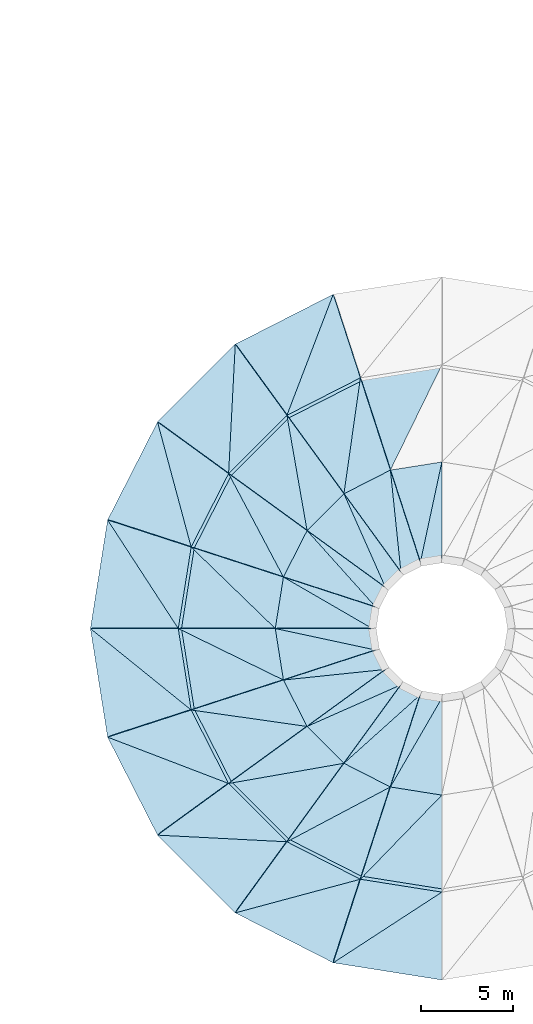
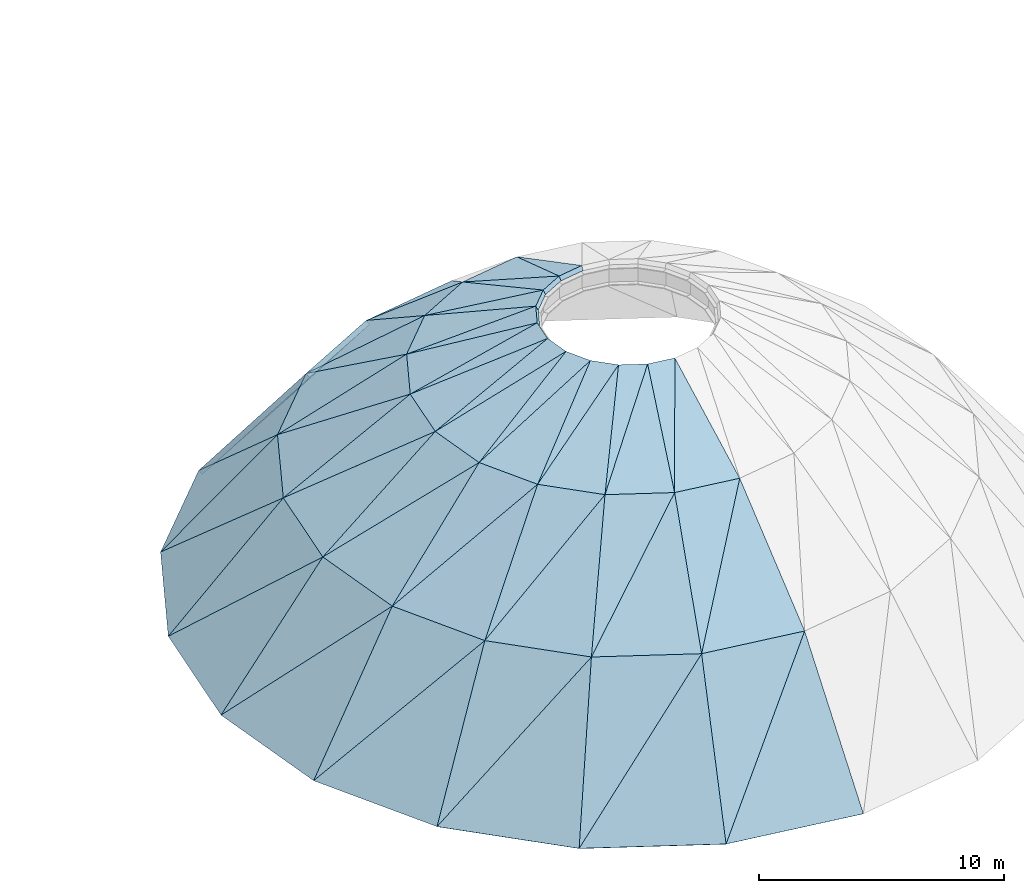
# One storey, part 6 of 9: 57 roofs.
"""IFC4 building model written with IfcOpenShell, lengths in metres."""

from ifc_helpers import new_model, si_unit, direction, frame, origin, place, context, subcontext, project, spatial, polyline, outline, extrude, material, layer, layer_set, type_object, element, save


model = new_model("IFC4")

# Units and contexts
model_context = context("Model", 3, precision=1e-05, world=origin(), true_north=direction((0.0, 1.0)))
body_context = subcontext(model_context, "Body", "Model", "MODEL_VIEW")
ifc_project = project(units=[si_unit("LENGTHUNIT", "METRE"), si_unit("AREAUNIT", "SQUARE_METRE"), si_unit("VOLUMEUNIT", "CUBIC_METRE"), si_unit("PLANEANGLEUNIT", "RADIAN"), si_unit("MASSUNIT", "GRAM", prefix="KILO")], contexts=[model_context])

# Site, building, storey
site_placement = place(None, origin())
site = spatial("IfcSite", under=ifc_project, at=site_placement, CompositionType="ELEMENT")
building_placement = place(site_placement, origin())
building = spatial("IfcBuilding", under=site, at=building_placement, Name="Sefraquen Railside Congress Hotel", CompositionType="ELEMENT")
storey_placement = place(building_placement, frame((0.0, 0.0, 51.60009765625)))
storey = spatial("IfcBuildingStorey", under=building, at=storey_placement, Name="RF", CompositionType="ELEMENT", Elevation=51.60009765625)

# Roofs
ifc_material = material(Name="Verdigris patinated copper over insulated steel deck", Category="steel")
ifc_layer = layer(ifc_material, 0.219970703125)
ifc_layer_set = layer_set([ifc_layer], Name="Verdigris patinated copper over insulated steel deck")
roof_type = type_object("IfcRoofType", Name="TRF-DOME-01", PredefinedType="DOME_ROOF", material=ifc_layer_set)
roof_1_placement = place(storey_placement, frame((64.199951171875, 41.39990234375, -24.280029296875), z_axis=(-0.100628101828, 0.635498192623, 0.765516839982), x_axis=(-0.987694325005, -0.156396676285, 0.0)))
element("IfcRoof", 1, at=roof_1_placement, inside=storey, type_object=roof_type, Name="Congress Dome shell gore 06.2A", PredefinedType="DOME_ROOF", context=body_context, shape_type="SweptSolid", body=[
    extrude(outline(polyline([(0.0, 0.0), (4.505145892406964, -1.1102230246251565e-16), (3.6759634322302155, 6.838349228910776), (0.0, 0.0)])), origin(), (0.0, 0.0, -1.0), 0.219970703125),
])
roof_2_placement = place(storey_placement, frame((64.199951171875, 36.10009765625, -19.880126953125), z_axis=(-0.073401836324, 0.463256082619, 0.883179467798), x_axis=(-0.987678693054, -0.156495365065, 0.0)))
element("IfcRoof", 2, at=roof_2_placement, inside=storey, type_object=roof_type, Name="Congress Dome shell gore 06.3A", PredefinedType="DOME_ROOF", context=body_context, shape_type="SweptSolid", body=[
    extrude(outline(polyline([(0.0, 0.0), (2.8470916083597246, 0.0), (2.018394009271394, 5.927122828187759), (0.0, 0.0)])), origin(), (0.0, 0.0, -1.0), 0.219970703125),
])
roof_3_placement = place(storey_placement, frame((64.199951171875, 36.10009765625, -19.880126953125), z_axis=(-0.07338872725, 0.463254301932, 0.883181491231), x_axis=(-0.187549566336, -0.876180105018, 0.443997278975)))
element("IfcRoof", 3, at=roof_3_placement, inside=storey, type_object=roof_type, Name="Congress Dome shell gore 06.3B", PredefinedType="DOME_ROOF", context=body_context, shape_type="SweptSolid", body=[
    extrude(outline(polyline([(0.0, 0.0), (6.261365617585919, 5.551115123125783e-17), (5.8781227821121265, 1.1255012351867433), (0.0, 0.0)])), origin(), (0.0, 0.0, -1.0), 0.219970703125),
])
roof_4_placement = place(storey_placement, frame((58.266845703125, 45.26025390625, -30.47998046875), z_axis=(-0.360629931327, 0.707796775693, 0.607428824595), x_axis=(-0.891011890739, -0.453979967137, 0.0)))
element("IfcRoof", 4, at=roof_4_placement, inside=storey, type_object=roof_type, Name="Congress Dome shell gore 07.1A", PredefinedType="DOME_ROOF", context=body_context, shape_type="SweptSolid", body=[
    extrude(outline(polyline([(0.0, 0.0), (6.0069848421854, -2.220446049250313e-16), (5.256123501342936, 7.804825347969129), (0.0, 0.0)])), origin(), (0.0, 0.0, -1.0), 0.219970703125),
])
roof_5_placement = place(storey_placement, frame((58.266845703125, 45.26025390625, -30.47998046875), z_axis=(-0.36063479883, 0.707796371111, 0.607426406172), x_axis=(-0.268978867443, -0.70250523921, 0.658890550662)))
element("IfcRoof", 5, at=roof_5_placement, inside=storey, type_object=roof_type, Name="Congress Dome shell gore 07.1B", PredefinedType="DOME_ROOF", context=body_context, shape_type="SweptSolid", body=[
    extrude(outline(polyline([(0.0, 0.0), (9.409682936936344, 0.0), (6.892981664606156, 3.737025457755235), (0.0, 0.0)])), origin(), (0.0, 0.0, -1.0), 0.219970703125),
])
roof_6_placement = place(storey_placement, frame((59.750244140625, 40.6953125, -24.280029296875), z_axis=(-0.292100647007, 0.573288486361, 0.765517813917), x_axis=(-0.891009307192, -0.453985037746, 0.0)))
element("IfcRoof", 6, at=roof_6_placement, inside=storey, type_object=roof_type, Name="Congress Dome shell gore 07.2A", PredefinedType="DOME_ROOF", context=body_context, shape_type="SweptSolid", body=[
    extrude(outline(polyline([(0.0, 0.0), (4.505457198338378, 0.0), (3.6761528645621397, 6.838361544468521), (0.0, 0.0)])), origin(), (0.0, 0.0, -1.0), 0.219970703125),
])
roof_7_placement = place(storey_placement, frame((59.750244140625, 40.6953125, -24.280029296875), z_axis=(-0.292106518642, 0.573288010708, 0.765515929649), x_axis=(-0.115783582281, -0.815736531222, 0.56671692555)))
element("IfcRoof", 7, at=roof_7_placement, inside=storey, type_object=roof_type, Name="Congress Dome shell gore 07.2B", PredefinedType="DOME_ROOF", context=body_context, shape_type="SweptSolid", body=[
    extrude(outline(polyline([(0.0, 0.0), (7.763844955722281, 0.0), (6.415822344347546, 2.5075460862325363), (0.0, 0.0)])), origin(), (0.0, 0.0, -1.0), 0.219970703125),
])
roof_8_placement = place(storey_placement, frame((61.387939453125, 35.654541015625, -19.880126953125), z_axis=(-0.212939783005, 0.417915441145, 0.883177973495), x_axis=(-0.891005463403, -0.453992581642, 0.0)))
element("IfcRoof", 8, at=roof_8_placement, inside=storey, type_object=roof_type, Name="Congress Dome shell gore 07.3A", PredefinedType="DOME_ROOF", context=body_context, shape_type="SweptSolid", body=[
    extrude(outline(polyline([(0.0, 0.0), (2.8469197978442713, 0.0), (2.0180948476026943, 5.927087271891667), (0.0, 0.0)])), origin(), (0.0, 0.0, -1.0), 0.219970703125),
])
roof_9_placement = place(storey_placement, frame((61.387939453125, 35.654541015625, -19.880126953125), z_axis=(-0.212953565856, 0.417912945386, 0.883175831229), x_axis=(0.092373004976, -0.891249377265, 0.444006503868)))
element("IfcRoof", 9, at=roof_9_placement, inside=storey, type_object=roof_type, Name="Congress Dome shell gore 07.3B", PredefinedType="DOME_ROOF", context=body_context, shape_type="SweptSolid", body=[
    extrude(outline(polyline([(0.0, 0.0), (6.261235528435321, -1.6653345369377348e-16), (5.877996782209607, 1.1254681512564986), (0.0, 0.0)])), origin(), (0.0, 0.0, -1.0), 0.219970703125),
])
roof_10_placement = place(storey_placement, frame((52.91455078125, 42.533203125, -30.47998046875), z_axis=(-0.561723170476, 0.561690885679, 0.607429361075), x_axis=(-0.707086459982, -0.707127101807, 0.0)))
element("IfcRoof", 10, at=roof_10_placement, inside=storey, type_object=roof_type, Name="Congress Dome shell gore 08.1A", PredefinedType="DOME_ROOF", context=body_context, shape_type="SweptSolid", body=[
    extrude(outline(polyline([(0.0, 0.0), (6.007127606227723, 0.0), (5.256308161891489, 7.804829378498917), (0.0, 0.0)])), origin(), (0.0, 0.0, -1.0), 0.219970703125),
])
roof_11_placement = place(storey_placement, frame((52.91455078125, 42.533203125, -30.47998046875), z_axis=(-0.561730753264, 0.561687705463, 0.607425289538), x_axis=(-0.038710516872, -0.751248670263, 0.658883093812)))
element("IfcRoof", 11, at=roof_11_placement, inside=storey, type_object=roof_type, Name="Congress Dome shell gore 08.1B", PredefinedType="DOME_ROOF", context=body_context, shape_type="SweptSolid", body=[
    extrude(outline(polyline([(0.0, 0.0), (9.409789430175731, 0.0), (6.893153999899772, 3.736779281565741), (0.0, 0.0)])), origin(), (0.0, 0.0, -1.0), 0.219970703125),
])
roof_12_placement = place(storey_placement, frame((55.73583984375, 38.64990234375, -24.280029296875), z_axis=(-0.454993730981, 0.454958862889, 0.765501886247), x_axis=(-0.707079685339, -0.707133875996, 0.0)))
element("IfcRoof", 12, at=roof_12_placement, inside=storey, type_object=roof_type, Name="Congress Dome shell gore 08.2A", PredefinedType="DOME_ROOF", context=body_context, shape_type="SweptSolid", body=[
    extrude(outline(polyline([(0.0, 0.0), (4.505216230999267, 2.220446049250313e-16), (3.676430787585561, 6.8381601470267155), (0.0, 0.0)])), origin(), (0.0, 0.0, -1.0), 0.219970703125),
])
roof_13_placement = place(storey_placement, frame((55.73583984375, 38.64990234375, -24.280029296875), z_axis=(-0.454930184855, 0.454985354656, 0.765523908155), x_axis=(0.141947358155, -0.811590466689, 0.566720267762)))
element("IfcRoof", 13, at=roof_13_placement, inside=storey, type_object=roof_type, Name="Congress Dome shell gore 08.2B", PredefinedType="DOME_ROOF", context=body_context, shape_type="SweptSolid", body=[
    extrude(outline(polyline([(0.0, 0.0), (7.763799168724768, 2.220446049250313e-16), (6.415719304074024, 2.5078835902445396), (0.0, 0.0)])), origin(), (0.0, 0.0, -1.0), 0.219970703125),
])
roof_14_placement = place(storey_placement, frame((58.851318359375, 34.362060546875, -19.880126953125), z_axis=(-0.331637773926, 0.331677991943, 0.883179538127), x_axis=(-0.707149653032, -0.707063906742, 0.0)))
element("IfcRoof", 14, at=roof_14_placement, inside=storey, type_object=roof_type, Name="Congress Dome shell gore 08.3A", PredefinedType="DOME_ROOF", context=body_context, shape_type="SweptSolid", body=[
    extrude(outline(polyline([(0.0, 0.0), (2.8472441805532966, -2.220446049250313e-16), (2.017768129241997, 5.927124501644469), (0.0, 0.0)])), origin(), (0.0, 0.0, -1.0), 0.219970703125),
])
roof_15_placement = place(storey_placement, frame((58.851318359375, 34.362060546875, -19.880126953125), z_axis=(-0.331663930097, 0.331663930097, 0.883174996785), x_axis=(0.363257299664, -0.819083602054, 0.444011471798)))
element("IfcRoof", 15, at=roof_15_placement, inside=storey, type_object=roof_type, Name="Congress Dome shell gore 08.3B", PredefinedType="DOME_ROOF", context=body_context, shape_type="SweptSolid", body=[
    extrude(outline(polyline([(0.0, 0.0), (6.261165473087174, -1.6653345369377348e-16), (5.878008744784153, 1.1253121891298359), (0.0, 0.0)])), origin(), (0.0, 0.0, -1.0), 0.219970703125),
])
roof_16_placement = place(storey_placement, frame((48.6669921875, 38.285400390625, -30.47998046875), z_axis=(-0.707774643341, 0.360650939231, 0.607442140681), x_axis=(-0.454012232645, -0.890995450386, 0.0)))
element("IfcRoof", 16, at=roof_16_placement, inside=storey, type_object=roof_type, Name="Congress Dome shell gore 09.1A", PredefinedType="DOME_ROOF", context=body_context, shape_type="SweptSolid", body=[
    extrude(outline(polyline([(0.0, 0.0), (6.007095681077011, 2.220446049250313e-16), (5.256146857426512, 7.8049253936002465), (0.0, 0.0)])), origin(), (0.0, 0.0, -1.0), 0.219970703125),
])
roof_17_placement = place(storey_placement, frame((48.6669921875, 38.285400390625, -30.47998046875), z_axis=(-0.707794488011, 0.360633839358, 0.60742917007), x_axis=(0.195317087858, -0.726445688487, 0.658883826534)))
element("IfcRoof", 17, at=roof_17_placement, inside=storey, type_object=roof_type, Name="Congress Dome shell gore 09.1B", PredefinedType="DOME_ROOF", context=body_context, shape_type="SweptSolid", body=[
    extrude(outline(polyline([(0.0, 0.0), (9.409778965868462, 0.0), (6.893035827751876, 3.7369972628839574), (0.0, 0.0)])), origin(), (0.0, 0.0, -1.0), 0.219970703125),
])
roof_18_placement = place(storey_placement, frame((52.55029296875, 35.464111328125, -24.280029296875), z_axis=(-0.573303993975, 0.292108548411, 0.765503185126), x_axis=(-0.453985037746, -0.891009307192, 0.0)))
element("IfcRoof", 18, at=roof_18_placement, inside=storey, type_object=roof_type, Name="Congress Dome shell gore 09.2A", PredefinedType="DOME_ROOF", context=body_context, shape_type="SweptSolid", body=[
    extrude(outline(polyline([(0.0, 0.0), (4.505457198338378, 2.220446049250313e-16), (3.676334967709326, 6.838176569882453), (0.0, 0.0)])), origin(), (0.0, 0.0, -1.0), 0.219970703125),
])
roof_19_placement = place(storey_placement, frame((52.55029296875, 35.464111328125, -24.280029296875), z_axis=(-0.573320080029, 0.292094745806, 0.765496404503), x_axis=(0.385781374093, -0.728009829771, 0.566722523957)))
element("IfcRoof", 19, at=roof_19_placement, inside=storey, type_object=roof_type, Name="Congress Dome shell gore 09.2B", PredefinedType="DOME_ROOF", context=body_context, shape_type="SweptSolid", body=[
    extrude(outline(polyline([(0.0, 0.0), (7.763768260045612, -4.440892098500626e-16), (6.4155203238397895, 2.5076719247137333), (0.0, 0.0)])), origin(), (0.0, 0.0, -1.0), 0.219970703125),
])
roof_20_placement = place(storey_placement, frame((56.837890625, 32.348876953125, -19.880126953125), z_axis=(-0.417923837966, 0.212923568299, 0.88317790944), x_axis=(-0.453957894775, -0.891023136496, 0.0)))
element("IfcRoof", 20, at=roof_20_placement, inside=storey, type_object=roof_type, Name="Congress Dome shell gore 09.3A", PredefinedType="DOME_ROOF", context=body_context, shape_type="SweptSolid", body=[
    extrude(outline(polyline([(0.0, 0.0), (2.8471373306324272, 0.0), (2.0181745630750285, 5.927085747748448), (0.0, 0.0)])), origin(), (0.0, 0.0, -1.0), 0.219970703125),
])
roof_21_placement = place(storey_placement, frame((56.837890625, 32.348876953125, -19.880126953125), z_axis=(-0.417900973171, 0.212947465241, 0.883182967267), x_axis=(0.59860906701, -0.666728532882, 0.444004784135)))
element("IfcRoof", 21, at=roof_21_placement, inside=storey, type_object=roof_type, Name="Congress Dome shell gore 09.3B", PredefinedType="DOME_ROOF", context=body_context, shape_type="SweptSolid", body=[
    extrude(outline(polyline([(0.0, 0.0), (6.2612597796454565, -6.661338147750939e-16), (5.878102929788177, 1.1254960348703256), (0.0, 0.0)])), origin(), (0.0, 0.0, -1.0), 0.219970703125),
])
roof_22_placement = place(storey_placement, frame((45.939697265625, 32.93310546875, -30.47998046875), z_axis=(-0.784589565315, 0.124264885067, 0.607435142495), x_axis=(-0.156432138959, -0.987688709007, 0.0)))
element("IfcRoof", 22, at=roof_22_placement, inside=storey, type_object=roof_type, Name="Congress Dome shell gore 10.1A", PredefinedType="DOME_ROOF", context=body_context, shape_type="SweptSolid", body=[
    extrude(outline(polyline([(0.0, 0.0), (6.007060134070098, 1.1102230246251565e-16), (5.256178228781198, 7.804872814487631), (0.0, 0.0)])), origin(), (0.0, 0.0, -1.0), 0.219970703125),
])
roof_23_placement = place(storey_placement, frame((45.939697265625, 32.93310546875, -30.47998046875), z_axis=(-0.784581720639, 0.124277813425, 0.60744262999), x_axis=(0.410250047222, -0.630527235491, 0.65888565325)))
element("IfcRoof", 23, at=roof_23_placement, inside=storey, type_object=roof_type, Name="Congress Dome shell gore 10.1B", PredefinedType="DOME_ROOF", context=body_context, shape_type="SweptSolid", body=[
    extrude(outline(polyline([(0.0, 0.0), (9.40975287789438, -4.440892098500626e-16), (6.893249580109754, 3.7368295066439323), (0.0, 0.0)])), origin(), (0.0, 0.0, -1.0), 0.219970703125),
])
roof_24_placement = place(storey_placement, frame((50.5048828125, 31.44970703125, -24.280029296875), z_axis=(-0.635499045895, 0.100663104658, 0.76551152965), x_axis=(-0.156449541595, -0.987685952585, 0.0)))
element("IfcRoof", 24, at=roof_24_placement, inside=storey, type_object=roof_type, Name="Congress Dome shell gore 10.2A", PredefinedType="DOME_ROOF", context=body_context, shape_type="SweptSolid", body=[
    extrude(outline(polyline([(0.0, 0.0), (4.505184081642572, 0.0), (3.6759938720502063, 6.83828208041772), (0.0, 0.0)])), origin(), (0.0, 0.0, -1.0), 0.219970703125),
])
roof_25_placement = place(storey_placement, frame((50.5048828125, 31.44970703125, -24.280029296875), z_axis=(-0.635512917421, 0.100640350875, 0.76550300559), x_axis=(0.591884672479, -0.573142601243, 0.566727529881)))
element("IfcRoof", 25, at=roof_25_placement, inside=storey, type_object=roof_type, Name="Congress Dome shell gore 10.2B", PredefinedType="DOME_ROOF", context=body_context, shape_type="SweptSolid", body=[
    extrude(outline(polyline([(0.0, 0.0), (7.763699682413841, 0.0), (6.415589614416244, 2.507650767871614), (0.0, 0.0)])), origin(), (0.0, 0.0, -1.0), 0.219970703125),
])
roof_26_placement = place(storey_placement, frame((55.54541015625, 29.81201171875, -19.880126953125), z_axis=(-0.463271878514, 0.073364117591, 0.883174316219), x_axis=(-0.156411712605, -0.987691943958, 0.0)))
element("IfcRoof", 26, at=roof_26_placement, inside=storey, type_object=roof_type, Name="Congress Dome shell gore 10.3A", PredefinedType="DOME_ROOF", context=body_context, shape_type="SweptSolid", body=[
    extrude(outline(polyline([(0.0, 0.0), (2.8470534116949016, -5.551115123125783e-17), (2.018101884053082, 5.92700025155648), (0.0, 0.0)])), origin(), (0.0, 0.0, -1.0), 0.219970703125),
])
roof_27_placement = place(storey_placement, frame((55.54541015625, 29.81201171875, -19.880126953125), z_axis=(-0.463259610338, 0.073389568207, 0.883178636918), x_axis=(0.775334880174, -0.449120254971, 0.444012184698)))
element("IfcRoof", 27, at=roof_27_placement, inside=storey, type_object=roof_type, Name="Congress Dome shell gore 10.3B", PredefinedType="DOME_ROOF", context=body_context, shape_type="SweptSolid", body=[
    extrude(outline(polyline([(0.0, 0.0), (6.261155420237479, -2.220446049250313e-16), (5.877985682025099, 1.125526122783089), (0.0, 0.0)])), origin(), (0.0, 0.0, -1.0), 0.219970703125),
])
roof_28_placement = place(storey_placement, frame((45.0, 27.0, -30.47998046875), z_axis=(-0.784584718189, -0.124264117369, 0.60744156025), x_axis=(0.156432138959, -0.987688709007, 0.0)))
element("IfcRoof", 28, at=roof_28_placement, inside=storey, type_object=roof_type, Name="Congress Dome shell gore 11.1A", PredefinedType="DOME_ROOF", context=body_context, shape_type="SweptSolid", body=[
    extrude(outline(polyline([(0.0, 0.0), (6.007060134070098, 0.0), (5.256065986232156, 7.804921032612769), (0.0, 0.0)])), origin(), (0.0, 0.0, -1.0), 0.219970703125),
])
roof_29_placement = place(storey_placement, frame((45.0, 27.0, -30.47998046875), z_axis=(-0.784588183615, -0.124278837161, 0.607434072773), x_axis=(0.585020261983, -0.472883594771, 0.658887242907)))
element("IfcRoof", 29, at=roof_29_placement, inside=storey, type_object=roof_type, Name="Congress Dome shell gore 11.1B", PredefinedType="DOME_ROOF", context=body_context, shape_type="SweptSolid", body=[
    extrude(outline(polyline([(0.0, 0.0), (9.409730175565493, 0.0), (6.893194556754889, 3.7368077404039886), (0.0, 0.0)])), origin(), (0.0, 0.0, -1.0), 0.219970703125),
])
roof_30_placement = place(storey_placement, frame((49.800048828125, 27.0, -24.280029296875), z_axis=(-0.635506803421, -0.100664333451, 0.765504927989), x_axis=(0.156449541595, -0.987685952585, 0.0)))
element("IfcRoof", 30, at=roof_30_placement, inside=storey, type_object=roof_type, Name="Congress Dome shell gore 11.2A", PredefinedType="DOME_ROOF", context=body_context, shape_type="SweptSolid", body=[
    extrude(outline(polyline([(0.0, 0.0), (4.505184081642572, 0.0), (3.6762436191990546, 6.838198606646094), (0.0, 0.0)])), origin(), (0.0, 0.0, -1.0), 0.219970703125),
])
roof_31_placement = place(storey_placement, frame((49.800048828125, 27.0, -24.280029296875), z_axis=(-0.635500641819, -0.1006384069, 0.765513452073), x_axis=(0.740024532169, -0.362197873689, 0.566724264597)))
element("IfcRoof", 31, at=roof_31_placement, inside=storey, type_object=roof_type, Name="Congress Dome shell gore 11.2B", PredefinedType="DOME_ROOF", context=body_context, shape_type="SweptSolid", body=[
    extrude(outline(polyline([(0.0, 0.0), (7.763744414368516, 2.220446049250313e-16), (6.415697574566764, 2.5076847582469544), (0.0, 0.0)])), origin(), (0.0, 0.0, -1.0), 0.219970703125),
])
roof_32_placement = place(storey_placement, frame((55.10009765625, 27.0, -19.880126953125), z_axis=(-0.463267144037, -0.073363367835, 0.883176861968), x_axis=(0.156411712605, -0.987691943958, 0.0)))
element("IfcRoof", 32, at=roof_32_placement, inside=storey, type_object=roof_type, Name="Congress Dome shell gore 11.3A", PredefinedType="DOME_ROOF", context=body_context, shape_type="SweptSolid", body=[
    extrude(outline(polyline([(0.0, 0.0), (2.8470534116949016, 5.551115123125783e-17), (2.0179124591467166, 5.927060824048182), (0.0, 0.0)])), origin(), (0.0, 0.0, -1.0), 0.219970703125),
])
roof_33_placement = place(storey_placement, frame((55.10009765625, 27.0, -19.880126953125), z_axis=(-0.463270947284, -0.073391364206, 0.883172540936), x_axis=(0.876171046478, -0.187555973901, 0.444012447986)))
element("IfcRoof", 33, at=roof_33_placement, inside=storey, type_object=roof_type, Name="Congress Dome shell gore 11.3B", PredefinedType="DOME_ROOF", context=body_context, shape_type="SweptSolid", body=[
    extrude(outline(polyline([(0.0, 0.0), (6.2611517075332275, 1.1102230246251565e-16), (5.877903032757415, 1.1254992468373581), (0.0, 0.0)])), origin(), (0.0, 0.0, -1.0), 0.219970703125),
])
roof_34_placement = place(storey_placement, frame((45.939697265625, 21.06689453125, -30.47998046875), z_axis=(-0.707782218282, -0.360654799089, 0.607431022732), x_axis=(0.454012232645, -0.890995450386, 0.0)))
element("IfcRoof", 34, at=roof_34_placement, inside=storey, type_object=roof_type, Name="Congress Dome shell gore 12.1A", PredefinedType="DOME_ROOF", context=body_context, shape_type="SweptSolid", body=[
    extrude(outline(polyline([(0.0, 0.0), (6.007095681077011, 0.0), (5.256406019890296, 7.804841862463361), (0.0, 0.0)])), origin(), (0.0, 0.0, -1.0), 0.219970703125),
])
roof_35_placement = place(storey_placement, frame((45.939697265625, 21.06689453125, -30.47998046875), z_axis=(-0.707784388236, -0.360628693343, 0.607443993557), x_axis=(0.702518379984, -0.268973964815, 0.658878541186)))
element("IfcRoof", 35, at=roof_35_placement, inside=storey, type_object=roof_type, Name="Congress Dome shell gore 12.1B", PredefinedType="DOME_ROOF", context=body_context, shape_type="SweptSolid", body=[
    extrude(outline(polyline([(0.0, 0.0), (9.409854448608623, 0.0), (6.893145979135221, 3.7370206108262183), (0.0, 0.0)])), origin(), (0.0, 0.0, -1.0), 0.219970703125),
])
roof_36_placement = place(storey_placement, frame((50.5048828125, 22.55029296875, -24.280029296875), z_axis=(-0.573309560377, -0.292111384591, 0.76549793401), x_axis=(0.453985037746, -0.891009307192, 0.0)))
element("IfcRoof", 36, at=roof_36_placement, inside=storey, type_object=roof_type, Name="Congress Dome shell gore 12.2A", PredefinedType="DOME_ROOF", context=body_context, shape_type="SweptSolid", body=[
    extrude(outline(polyline([(0.0, 0.0), (4.505457198338378, -2.220446049250313e-16), (3.676259559940422, 6.838110176362628), (0.0, 0.0)])), origin(), (0.0, 0.0, -1.0), 0.219970703125),
])
roof_37_placement = place(storey_placement, frame((50.5048828125, 22.55029296875, -24.280029296875), z_axis=(-0.57331127133, -0.292090257956, 0.765504714141), x_axis=(0.815723039333, -0.11581757725, 0.566729399185)))
element("IfcRoof", 37, at=roof_37_placement, inside=storey, type_object=roof_type, Name="Congress Dome shell gore 12.2B", PredefinedType="DOME_ROOF", context=body_context, shape_type="SweptSolid", body=[
    extrude(outline(polyline([(0.0, 0.0), (7.763674074568527, 0.0), (6.415554393065867, 2.507740876531287), (0.0, 0.0)])), origin(), (0.0, 0.0, -1.0), 0.219970703125),
])
roof_38_placement = place(storey_placement, frame((55.54541015625, 24.18798828125, -19.880126953125), z_axis=(-0.417918838349, -0.212921021097, 0.883180889358), x_axis=(0.453957894775, -0.891023136496, 0.0)))
element("IfcRoof", 38, at=roof_38_placement, inside=storey, type_object=roof_type, Name="Congress Dome shell gore 12.3A", PredefinedType="DOME_ROOF", context=body_context, shape_type="SweptSolid", body=[
    extrude(outline(polyline([(0.0, 0.0), (2.8471373306324272, 2.220446049250313e-16), (2.0178910621385393, 5.927156654238367), (0.0, 0.0)])), origin(), (0.0, 0.0, -1.0), 0.219970703125),
])
roof_39_placement = place(storey_placement, frame((55.54541015625, 24.18798828125, -19.880126953125), z_axis=(-0.417912945386, -0.212953565856, 0.883175831229), x_axis=(0.891249377265, 0.092373004976, 0.444006503868)))
element("IfcRoof", 39, at=roof_39_placement, inside=storey, type_object=roof_type, Name="Congress Dome shell gore 12.3B", PredefinedType="DOME_ROOF", context=body_context, shape_type="SweptSolid", body=[
    extrude(outline(polyline([(0.0, 0.0), (6.261235528435321, -1.6653345369377348e-16), (5.877996782209607, 1.1254681512564986), (0.0, 0.0)])), origin(), (0.0, 0.0, -1.0), 0.219970703125),
])
roof_40_placement = place(storey_placement, frame((48.6669921875, 15.714599609375, -30.47998046875), z_axis=(-0.561725057413, -0.561692772508, 0.607425871352), x_axis=(0.707086459982, -0.707127101807, 0.0)))
element("IfcRoof", 40, at=roof_40_placement, inside=storey, type_object=roof_type, Name="Congress Dome shell gore 13.1A", PredefinedType="DOME_ROOF", context=body_context, shape_type="SweptSolid", body=[
    extrude(outline(polyline([(0.0, 0.0), (6.007127606227723, 0.0), (5.256035675128743, 7.804803160651215), (0.0, 0.0)])), origin(), (0.0, 0.0, -1.0), 0.219970703125),
])
roof_41_placement = place(storey_placement, frame((48.6669921875, 15.714599609375, -30.47998046875), z_axis=(-0.561728237251, -0.561685189643, 0.607429942636), x_axis=(0.751236612669, -0.038737178377, 0.658895274529)))
element("IfcRoof", 41, at=roof_41_placement, inside=storey, type_object=roof_type, Name="Congress Dome shell gore 13.1B", PredefinedType="DOME_ROOF", context=body_context, shape_type="SweptSolid", body=[
    extrude(outline(polyline([(0.0, 0.0), (9.409615475392034, 0.0), (6.8931074766764855, 3.7368651006505305), (0.0, 0.0)])), origin(), (0.0, 0.0, -1.0), 0.219970703125),
])
roof_42_placement = place(storey_placement, frame((52.55029296875, 18.535888671875, -24.280029296875), z_axis=(-0.454979381187, -0.454944514195, 0.765518942744), x_axis=(0.707079685339, -0.707133875996, 0.0)))
element("IfcRoof", 42, at=roof_42_placement, inside=storey, type_object=roof_type, Name="Congress Dome shell gore 13.2A", PredefinedType="DOME_ROOF", context=body_context, shape_type="SweptSolid", body=[
    extrude(outline(polyline([(0.0, 0.0), (4.505216230999267, -2.220446049250313e-16), (3.6760296100280696, 6.8383758187517225), (0.0, 0.0)])), origin(), (0.0, 0.0, -1.0), 0.219970703125),
])
roof_43_placement = place(storey_placement, frame((52.55029296875, 18.535888671875, -24.280029296875), z_axis=(-0.454952888396, -0.455008060951, 0.765496919529), x_axis=(0.811590466689, 0.141947358155, 0.566720267762)))
element("IfcRoof", 43, at=roof_43_placement, inside=storey, type_object=roof_type, Name="Congress Dome shell gore 13.2B", PredefinedType="DOME_ROOF", context=body_context, shape_type="SweptSolid", body=[
    extrude(outline(polyline([(0.0, 0.0), (7.763799168724768, 2.220446049250313e-16), (6.415486506753505, 2.5077584391768237), (0.0, 0.0)])), origin(), (0.0, 0.0, -1.0), 0.219970703125),
])
roof_44_placement = place(storey_placement, frame((56.837890625, 21.651123046875, -19.880126953125), z_axis=(-0.331641335691, -0.331681554141, 0.883176862867), x_axis=(0.707149653032, -0.707063906742, 0.0)))
element("IfcRoof", 44, at=roof_44_placement, inside=storey, type_object=roof_type, Name="Congress Dome shell gore 13.3A", PredefinedType="DOME_ROOF", context=body_context, shape_type="SweptSolid", body=[
    extrude(outline(polyline([(0.0, 0.0), (2.8472441805532966, -2.220446049250313e-16), (2.0182302715995255, 5.92706084543801), (0.0, 0.0)])), origin(), (0.0, 0.0, -1.0), 0.219970703125),
])
roof_45_placement = place(storey_placement, frame((56.837890625, 21.651123046875, -19.880126953125), z_axis=(-0.331655398617, -0.331655398617, 0.883181404433), x_axis=(0.819071999822, 0.363291146451, 0.444005182423)))
element("IfcRoof", 45, at=roof_45_placement, inside=storey, type_object=roof_type, Name="Congress Dome shell gore 13.3B", PredefinedType="DOME_ROOF", context=body_context, shape_type="SweptSolid", body=[
    extrude(outline(polyline([(0.0, 0.0), (6.261254163083068, -1.1102230246251565e-16), (5.878135638142246, 1.1253251962411706), (0.0, 0.0)])), origin(), (0.0, 0.0, -1.0), 0.219970703125),
])
roof_46_placement = place(storey_placement, frame((52.91455078125, 11.466796875, -30.47998046875), z_axis=(-0.360630650959, -0.707798188091, 0.607426751571), x_axis=(0.891011890739, -0.453979967137, 0.0)))
element("IfcRoof", 46, at=roof_46_placement, inside=storey, type_object=roof_type, Name="Congress Dome shell gore 14.1A", PredefinedType="DOME_ROOF", context=body_context, shape_type="SweptSolid", body=[
    extrude(outline(polyline([(0.0, 0.0), (6.0069848421854, 0.0), (5.256318539107886, 7.80480977359034), (0.0, 0.0)])), origin(), (0.0, 0.0, -1.0), 0.219970703125),
])
roof_47_placement = place(storey_placement, frame((52.91455078125, 11.466796875, -30.47998046875), z_axis=(-0.360633839358, -0.707794488011, 0.60742917007), x_axis=(0.726445688487, 0.195317087858, 0.658883826534)))
element("IfcRoof", 47, at=roof_47_placement, inside=storey, type_object=roof_type, Name="Congress Dome shell gore 14.1B", PredefinedType="DOME_ROOF", context=body_context, shape_type="SweptSolid", body=[
    extrude(outline(polyline([(0.0, 0.0), (9.409778965868462, 0.0), (6.893035827751876, 3.7369972628839574), (0.0, 0.0)])), origin(), (0.0, 0.0, -1.0), 0.219970703125),
])
roof_48_placement = place(storey_placement, frame((55.73583984375, 15.35009765625, -24.280029296875), z_axis=(-0.292101435188, -0.573290033277, 0.765516354695), x_axis=(0.891009307192, -0.453985037746, 0.0)))
element("IfcRoof", 48, at=roof_48_placement, inside=storey, type_object=roof_type, Name="Congress Dome shell gore 14.2A", PredefinedType="DOME_ROOF", context=body_context, shape_type="SweptSolid", body=[
    extrude(outline(polyline([(0.0, 0.0), (4.505457198338378, 0.0), (3.6762241315184703, 6.83834309242391), (0.0, 0.0)])), origin(), (0.0, 0.0, -1.0), 0.219970703125),
])
roof_49_placement = place(storey_placement, frame((55.73583984375, 15.35009765625, -24.280029296875), z_axis=(-0.292105271267, -0.573285562611, 0.765518238973), x_axis=(0.728000997837, 0.385808139712, 0.566715648699)))
element("IfcRoof", 49, at=roof_49_placement, inside=storey, type_object=roof_type, Name="Congress Dome shell gore 14.2B", PredefinedType="DOME_ROOF", context=body_context, shape_type="SweptSolid", body=[
    extrude(outline(polyline([(0.0, 0.0), (7.763862448218704, 0.0), (6.415849246095663, 2.5075511444952925), (0.0, 0.0)])), origin(), (0.0, 0.0, -1.0), 0.219970703125),
])
roof_50_placement = place(storey_placement, frame((58.851318359375, 19.637939453125, -19.880126953125), z_axis=(-0.212940861844, -0.417917558473, 0.883176711467), x_axis=(0.891005463403, -0.453992581642, 0.0)))
element("IfcRoof", 50, at=roof_50_placement, inside=storey, type_object=roof_type, Name="Congress Dome shell gore 14.3A", PredefinedType="DOME_ROOF", context=body_context, shape_type="SweptSolid", body=[
    extrude(outline(polyline([(0.0, 0.0), (2.8469197978442713, 2.220446049250313e-16), (2.017753247047283, 5.927057243033733), (0.0, 0.0)])), origin(), (0.0, 0.0, -1.0), 0.219970703125),
])
roof_51_placement = place(storey_placement, frame((58.851318359375, 19.637939453125, -19.880126953125), z_axis=(-0.212950982404, -0.417907875463, 0.883178853188), x_axis=(0.666706872891, 0.59862462935, 0.44401632715)))
element("IfcRoof", 51, at=roof_51_placement, inside=storey, type_object=roof_type, Name="Congress Dome shell gore 14.3B", PredefinedType="DOME_ROOF", context=body_context, shape_type="SweptSolid", body=[
    extrude(outline(polyline([(0.0, 0.0), (6.2610970067687415, 3.885780586188048e-16), (5.877971502378684, 1.125506705438597), (0.0, 0.0)])), origin(), (0.0, 0.0, -1.0), 0.219970703125),
])
roof_52_placement = place(storey_placement, frame((58.266845703125, 8.73974609375, -30.47998046875), z_axis=(-0.124264885067, -0.784589565315, 0.607435142495), x_axis=(0.987688709007, -0.156432138959, 0.0)))
element("IfcRoof", 52, at=roof_52_placement, inside=storey, type_object=roof_type, Name="Congress Dome shell gore 15.1A", PredefinedType="DOME_ROOF", context=body_context, shape_type="SweptSolid", body=[
    extrude(outline(polyline([(0.0, 0.0), (6.007060134070098, 1.1102230246251565e-16), (5.256178228781198, 7.804872814487631), (0.0, 0.0)])), origin(), (0.0, 0.0, -1.0), 0.219970703125),
])
roof_53_placement = place(storey_placement, frame((58.266845703125, 8.73974609375, -30.47998046875), z_axis=(-0.124238539396, -0.784605550598, 0.607419883853), x_axis=(0.630527235491, 0.410250047222, 0.65888565325)))
element("IfcRoof", 53, at=roof_53_placement, inside=storey, type_object=roof_type, Name="Congress Dome shell gore 15.1B", PredefinedType="DOME_ROOF", context=body_context, shape_type="SweptSolid", body=[
    extrude(outline(polyline([(0.0, 0.0), (9.40975287789438, 0.0), (6.89314942140682, 3.7367160120440257), (0.0, 0.0)])), origin(), (0.0, 0.0, -1.0), 0.219970703125),
])
roof_54_placement = place(storey_placement, frame((59.750244140625, 13.3046875, -24.280029296875), z_axis=(-0.100631306486, -0.635518431054, 0.765499617208), x_axis=(0.987694325005, -0.156396676285, 0.0)))
element("IfcRoof", 54, at=roof_54_placement, inside=storey, type_object=roof_type, Name="Congress Dome shell gore 15.2A", PredefinedType="DOME_ROOF", context=body_context, shape_type="SweptSolid", body=[
    extrude(outline(polyline([(0.0, 0.0), (4.505145892406964, 0.0), (3.676274054324029, 6.83813145795083), (0.0, 0.0)])), origin(), (0.0, 0.0, -1.0), 0.219970703125),
])
roof_55_placement = place(storey_placement, frame((59.750244140625, 13.3046875, -24.280029296875), z_axis=(-0.100690666165, -0.635482242678, 0.765521854024), x_axis=(0.573142601243, 0.591884672479, 0.566727529881)))
element("IfcRoof", 55, at=roof_55_placement, inside=storey, type_object=roof_type, Name="Congress Dome shell gore 15.2B", PredefinedType="DOME_ROOF", context=body_context, shape_type="SweptSolid", body=[
    extrude(outline(polyline([(0.0, 0.0), (7.763699682413841, -2.220446049250313e-16), (6.415734117510111, 2.507771812232152), (0.0, 0.0)])), origin(), (0.0, 0.0, -1.0), 0.219970703125),
])
roof_56_placement = place(storey_placement, frame((61.387939453125, 18.345458984375, -19.880126953125), z_axis=(-0.073401485076, -0.46325386581, 0.883180659775), x_axis=(0.987678693054, -0.156495365065, 0.0)))
element("IfcRoof", 56, at=roof_56_placement, inside=storey, type_object=roof_type, Name="Congress Dome shell gore 15.3A", PredefinedType="DOME_ROOF", context=body_context, shape_type="SweptSolid", body=[
    extrude(outline(polyline([(0.0, 0.0), (2.8470916083597246, 5.551115123125783e-17), (2.0176585321376566, 5.927151191260544), (0.0, 0.0)])), origin(), (0.0, 0.0, -1.0), 0.219970703125),
])
roof_57_placement = place(storey_placement, frame((61.387939453125, 18.345458984375, -19.880126953125), z_axis=(-0.073389568207, -0.463259610338, 0.883178636918), x_axis=(0.449120254971, 0.775334880174, 0.444012184698)))
element("IfcRoof", 57, at=roof_57_placement, inside=storey, type_object=roof_type, Name="Congress Dome shell gore 15.3B", PredefinedType="DOME_ROOF", context=body_context, shape_type="SweptSolid", body=[
    extrude(outline(polyline([(0.0, 0.0), (6.261155420237479, -2.220446049250313e-16), (5.877985682025099, 1.125526122783089), (0.0, 0.0)])), origin(), (0.0, 0.0, -1.0), 0.219970703125),
])

save(model, "model.ifc")
